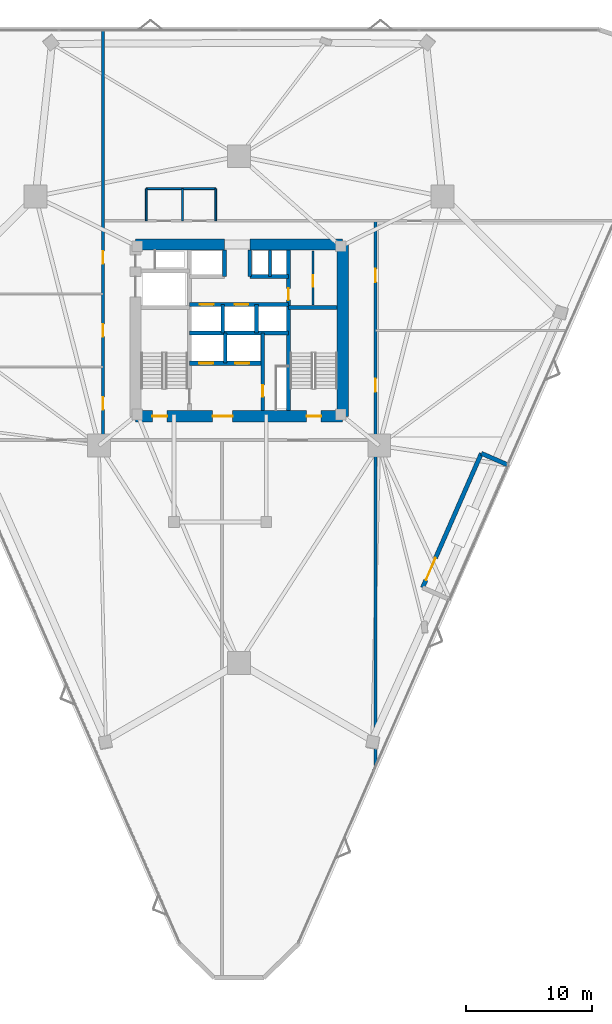
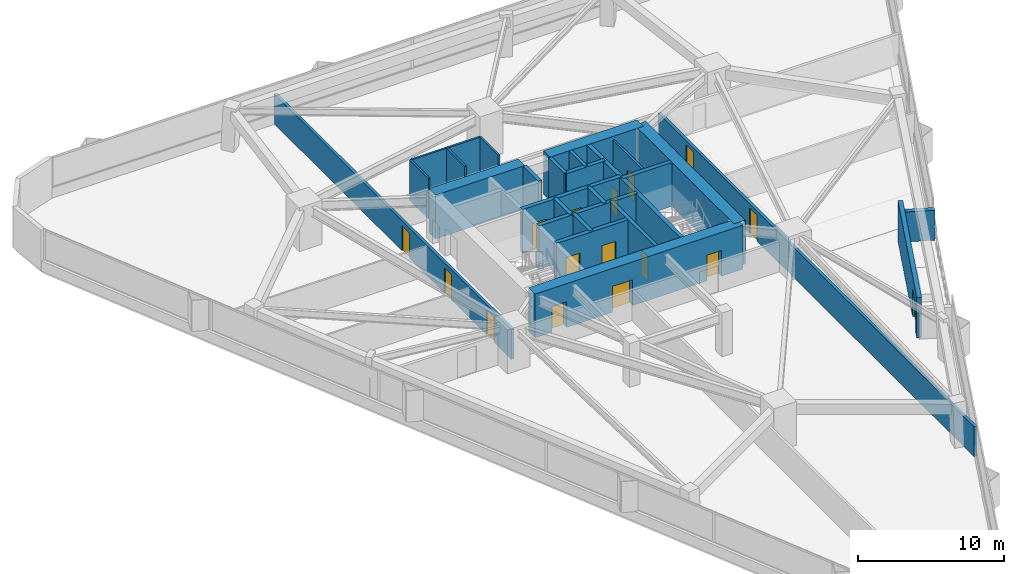
# One storey, part 13 of 16: 26 walls, 16 doors, 16 openings.
"""IFC4 building model written with IfcOpenShell, lengths in metres."""

from ifc_helpers import new_model, si_unit, direction, frame, frame_2d, origin, place, context, subcontext, project, spatial, rectangle, extrude, material, layer, layer_set, type_object, element, fill, save


model = new_model("IFC4")

# Units and contexts
model_context = context("Model", 3, precision=1e-05, world=origin(), true_north=direction((0.0, 1.0)))
body_context = subcontext(model_context, "Body", "Model", "MODEL_VIEW")
ifc_project = project(units=[si_unit("LENGTHUNIT", "METRE"), si_unit("AREAUNIT", "SQUARE_METRE"), si_unit("VOLUMEUNIT", "CUBIC_METRE"), si_unit("PLANEANGLEUNIT", "RADIAN"), si_unit("MASSUNIT", "GRAM", prefix="KILO")], contexts=[model_context])

# Site, building, storey
site_placement = place(None, origin())
site = spatial("IfcSite", under=ifc_project, at=site_placement, CompositionType="ELEMENT")
building_placement = place(site_placement, origin())
building = spatial("IfcBuilding", under=site, at=building_placement, Name="Talyreon Biosciences Tower", CompositionType="ELEMENT")
storey_placement = place(building_placement, frame((0.0, 0.0, 44.699951171875)))
storey = spatial("IfcBuildingStorey", under=building, at=storey_placement, Name="L11", CompositionType="ELEMENT", Elevation=44.699951171875)

# Walls
ifc_material_1 = material(Name="Concrete C50/60", Category="concrete")
ifc_layer_1 = layer(ifc_material_1, 0.219970703125)
ifc_layer_set_1 = layer_set([ifc_layer_1], Name="Concrete C50/60")
wall_type_1 = type_object("IfcWallType", Name="CoreShearWall_220", PredefinedType="SHEAR", material=ifc_layer_set_1)
wall_1_placement = place(storey_placement, frame((68.4599609375, 72.25, 0.0), z_axis=(0.0, 0.0, 1.0), x_axis=(0.0, 1.0, 0.0)))
element("IfcWall", 1, at=wall_1_placement, inside=storey, type_object=wall_type_1, Name="L11 Core Shaft Wall SWPHD", PredefinedType="SHEAR", context=body_context, shape_type="SweptSolid", body=[
    extrude(rectangle(XDim=2.10009765625, YDim=0.219970703125, at=frame_2d((1.050048828125, 0.0))), origin(), (0.0, 0.0, 1.0), 3.650146484375),
])
ifc_layer_2 = layer(ifc_material_1, 0.280029296875)
ifc_layer_set_2 = layer_set([ifc_layer_2], Name="Concrete C50/60")
wall_type_2 = type_object("IfcWallType", Name="CoreShearWall_280", PredefinedType="SHEAR", material=ifc_layer_set_2)
wall_2_placement = place(storey_placement, frame((64.919921875, 65.39990234375, 0.0), z_axis=(0.0, 0.0, 1.0), x_axis=(0.0, 1.0, 0.0)))
element("IfcWall", 2, at=wall_2_placement, inside=storey, type_object=wall_type_2, Name="L11 Core Shaft Wall SWSHD1", PredefinedType="SHEAR", context=body_context, shape_type="SweptSolid", body=[
    extrude(rectangle(XDim=2.400146484375, YDim=0.280029296875, at=frame_2d((1.2001953125, 0.0))), origin(), (0.0, 0.0, 1.0), 3.650146484375),
])
for number, where, z_axis, x_axis, name in (
    (3, (64.85009765625, 72.25, 0.0), (0.0, 0.0, 1.0), (0.0, 1.0, 0.0), "L11 Core Shaft Wall SWTHW"),
    (4, (66.85009765625, 72.25, 0.0), (0.0, 0.0, 1.0), (0.0, 1.0, 0.0), "L11 Core Shaft Wall SWTHE"),
):
    element("IfcWall", number, at=place(storey_placement, frame(where, z_axis=z_axis, x_axis=x_axis)), inside=storey, type_object=wall_type_2, Name=name, PredefinedType="SHEAR", context=body_context, shape_type="SweptSolid", body=[
        extrude(rectangle(XDim=2.10009765625, YDim=0.280029296875, at=frame_2d((1.050048828125, 0.0))), origin(), (0.0, 0.0, 1.0), 3.650146484375),
    ])

# Wall, opening, door
wall_3_placement = place(storey_placement, frame((67.8798828125, 61.64990234375, 0.0), z_axis=(0.0, 0.0, 1.0), x_axis=(0.0, 1.0, 0.0)))
wall_3 = element("IfcWall", 5, at=wall_3_placement, inside=storey, type_object=wall_type_2, Name="L11 Core Shaft Wall SWFFE", PredefinedType="SHEAR", context=body_context, shape_type="SweptSolid", body=[
    extrude(rectangle(XDim=6.150146484375, YDim=0.280029296875, at=frame_2d((3.0751953125, 0.0))), origin(), (0.0, 0.0, 1.0), 3.650146484375),
])
opening_1_placement = place(wall_3_placement, frame((1.10009765625, 0.0, 0.0)))
opening_1 = element("IfcOpeningElement", 6, at=opening_1_placement, cuts=wall_3, Name="Opening DR-L11-RSE", PredefinedType="OPENING", context=body_context, shape_type="SweptSolid", body=[
    extrude(rectangle(XDim=0.919921875, YDim=2.050048828125, at=frame_2d((0.4599609375, 1.02490234375))), frame((0.0, 0.14990234375, 0.0), z_axis=(0.0, -1.0, 0.0), x_axis=(1.0, 0.0, 0.0)), (0.0, 0.0, 1.0), 0.300048828125),
])
ifc_material_2 = material(Name="Painted steel fire-rated riser door", Category="steel")
door_type_1 = type_object("IfcDoorType", Name="RiserPlantAccessDoor_920x2050", OperationType="NOTDEFINED", PredefinedType="DOOR", material=ifc_material_2)
door_1_placement = place(opening_1_placement, origin())
door_1 = element("IfcDoor", 7, at=door_1_placement, inside=storey, type_object=door_type_1, Name="L11 Core Door DR-L11-RSE", OperationType="SINGLE_SWING_RIGHT", OverallHeight=2.050048828125, OverallWidth=0.919921875, PredefinedType="DOOR", context=body_context, shape_type="SweptSolid", body=[
    extrude(rectangle(XDim=0.919921875, YDim=2.050048828125, at=frame_2d((0.4599609375, 1.02490234375))), frame((0.0, 0.02490234375, 0.0), z_axis=(0.0, -1.0, 0.0), x_axis=(1.0, 0.0, 0.0)), (0.0, 0.0, 1.0), 0.050048828125),
])
fill(opening_1, door_1)

# Walls
for number, where, z_axis, x_axis, name in (
    (8, (64.719970703125, 67.800048828125, 0.0), (0.0, 0.0, 1.0), (0.0, 1.0, 0.0), "L11 Core Shaft Wall SWPLD"),
    (9, (67.3798828125, 67.800048828125, 0.0), (0.0, 0.0, 1.0), (0.0, 1.0, 0.0), "L11 Core Shaft Wall SWPMD"),
):
    element("IfcWall", number, at=place(storey_placement, frame(where, z_axis=z_axis, x_axis=x_axis)), inside=storey, type_object=wall_type_2, Name=name, PredefinedType="SHEAR", context=body_context, shape_type="SweptSolid", body=[
        extrude(rectangle(XDim=2.25, YDim=0.280029296875, at=frame_2d((1.125, 0.0))), origin(), (0.0, 0.0, 1.0), 3.650146484375),
    ])

# Wall, opening, door
ifc_layer_3 = layer(ifc_material_1, 0.320068359375)
ifc_layer_set_3 = layer_set([ifc_layer_3], Name="Concrete C50/60")
wall_type_3 = type_object("IfcWallType", Name="CoreShearWall_320", PredefinedType="SHEAR", material=ifc_layer_set_3)
wall_4_placement = place(storey_placement, frame((69.909912109375, 61.64990234375, 0.0), z_axis=(0.0, 0.0, 1.0), x_axis=(0.0, 1.0, 0.0)))
wall_4 = element("IfcWall", 10, at=wall_4_placement, inside=storey, type_object=wall_type_3, Name="L11 Core Shaft Wall SW2W", PredefinedType="SHEAR", context=body_context, shape_type="SweptSolid", body=[
    extrude(rectangle(XDim=12.7001953125, YDim=0.320068359375, at=frame_2d((6.35009765625, 0.0))), origin(), (0.0, 0.0, 1.0), 3.650146484375),
])
opening_2_placement = place(wall_4_placement, frame((8.75, 0.0, 0.0)))
opening_2 = element("IfcOpeningElement", 11, at=opening_2_placement, cuts=wall_4, Name="Opening DR-L11-CSRV", PredefinedType="OPENING", context=body_context, shape_type="SweptSolid", body=[
    extrude(rectangle(XDim=0.919921875, YDim=2.050048828125, at=frame_2d((0.4599609375, 1.02490234375))), frame((0.0, 0.169921875, 0.0), z_axis=(0.0, -1.0, 0.0), x_axis=(1.0, 0.0, 0.0)), (0.0, 0.0, 1.0), 0.340087890625),
])
door_2_placement = place(opening_2_placement, origin())
door_2 = element("IfcDoor", 12, at=door_2_placement, inside=storey, type_object=door_type_1, Name="L11 Core Door DR-L11-CSRV", OperationType="SINGLE_SWING_RIGHT", OverallHeight=2.050048828125, OverallWidth=0.919921875, PredefinedType="DOOR", context=body_context, shape_type="SweptSolid", body=[
    extrude(rectangle(XDim=0.919921875, YDim=2.050048828125, at=frame_2d((0.4599609375, 1.02490234375))), frame((0.0, 0.02490234375, 0.0), z_axis=(0.0, -1.0, 0.0), x_axis=(1.0, 0.0, 0.0)), (0.0, 0.0, 1.0), 0.050048828125),
])
fill(opening_2, door_2)

# Walls
wall_5_placement = place(storey_placement, frame((69.909912109375, 69.81005859375, 0.0), z_axis=(0.0, 0.0, 1.0), x_axis=(1.0, 0.0, 0.0)))
element("IfcWall", 13, at=wall_5_placement, inside=storey, type_object=wall_type_3, Name="L11 Core Shaft Wall SW2N", PredefinedType="SHEAR", context=body_context, shape_type="SweptSolid", body=[
    extrude(rectangle(XDim=3.840087890625, YDim=0.320068359375, at=frame_2d((1.919921875, 0.0))), origin(), (0.0, 0.0, 1.0), 3.650146484375),
])
wall_6_placement = place(storey_placement, frame((62.090087890625, 67.800048828125, 0.0), z_axis=(0.0, 0.0, 1.0), x_axis=(1.0, 0.0, 0.0)))
element("IfcWall", 14, at=wall_6_placement, inside=storey, type_object=wall_type_3, Name="L11 Core Shaft Wall SWSHM", PredefinedType="SHEAR", context=body_context, shape_type="SweptSolid", body=[
    extrude(rectangle(XDim=7.81982421875, YDim=0.320068359375, at=frame_2d((3.909912109375, 0.0))), origin(), (0.0, 0.0, 1.0), 3.650146484375),
])

# Wall, openings, doors
wall_7_placement = place(storey_placement, frame((62.090087890625, 70.050048828125, 0.0), z_axis=(0.0, 0.0, 1.0), x_axis=(1.0, 0.0, 0.0)))
wall_7 = element("IfcWall", 15, at=wall_7_placement, inside=storey, type_object=wall_type_3, Name="L11 Core Shaft Wall SWSPN", PredefinedType="SHEAR", context=body_context, shape_type="SweptSolid", body=[
    extrude(rectangle(XDim=7.81982421875, YDim=0.320068359375, at=frame_2d((3.909912109375, 0.0))), origin(), (0.0, 0.0, 1.0), 3.650146484375),
])
opening_3_placement = place(wall_7_placement, frame((0.800048828125, 0.0, 0.0)))
opening_3 = element("IfcOpeningElement", 16, at=opening_3_placement, cuts=wall_7, Name="Opening LD-L11-PL1", PredefinedType="OPENING", context=body_context, shape_type="SweptSolid", body=[
    extrude(rectangle(XDim=1.10009765625, YDim=2.199951171875, at=frame_2d((0.550048828125, 1.10009765625))), frame((0.0, 0.169921875, 0.0), z_axis=(0.0, -1.0, 0.0), x_axis=(1.0, 0.0, 0.0)), (0.0, 0.0, 1.0), 0.340087890625),
])
opening_4_placement = place(wall_7_placement, frame((3.550048828125, 0.0, 0.0)))
opening_4 = element("IfcOpeningElement", 17, at=opening_4_placement, cuts=wall_7, Name="Opening LD-L11-PL2", PredefinedType="OPENING", context=body_context, shape_type="SweptSolid", body=[
    extrude(rectangle(XDim=1.10009765625, YDim=2.199951171875, at=frame_2d((0.550048828125, 1.10009765625))), frame((0.0, 0.169921875, 0.0), z_axis=(0.0, -1.0, 0.0), x_axis=(1.0, 0.0, 0.0)), (0.0, 0.0, 1.0), 0.340087890625),
])
ifc_material_3 = material(Name="Brushed stainless-steel lift landing door", Category="steel")
door_type_2 = type_object("IfcDoorType", Name="LiftSlidingLandingDoor_1100x2200", OperationType="SLIDING_TO_LEFT", PredefinedType="DOOR", material=ifc_material_3)
door_3_placement = place(opening_3_placement, origin())
door_3 = element("IfcDoor", 18, at=door_3_placement, inside=storey, type_object=door_type_2, Name="L11 Core Door LD-L11-PL1", OperationType="SLIDING_TO_LEFT", OverallHeight=2.199951171875, OverallWidth=1.10009765625, PredefinedType="DOOR", context=body_context, shape_type="SweptSolid", body=[
    extrude(rectangle(XDim=1.10009765625, YDim=2.199951171875, at=frame_2d((0.550048828125, 1.10009765625))), frame((0.0, 0.02490234375, 0.0), z_axis=(0.0, -1.0, 0.0), x_axis=(1.0, 0.0, 0.0)), (0.0, 0.0, 1.0), 0.050048828125),
])
fill(opening_3, door_3)
door_4_placement = place(opening_4_placement, origin())
door_4 = element("IfcDoor", 19, at=door_4_placement, inside=storey, type_object=door_type_2, Name="L11 Core Door LD-L11-PL2", OperationType="SLIDING_TO_LEFT", OverallHeight=2.199951171875, OverallWidth=1.10009765625, PredefinedType="DOOR", context=body_context, shape_type="SweptSolid", body=[
    extrude(rectangle(XDim=1.10009765625, YDim=2.199951171875, at=frame_2d((0.550048828125, 1.10009765625))), frame((0.0, 0.02490234375, 0.0), z_axis=(0.0, -1.0, 0.0), x_axis=(1.0, 0.0, 0.0)), (0.0, 0.0, 1.0), 0.050048828125),
])
fill(opening_4, door_4)

# Wall
wall_8_placement = place(storey_placement, frame((66.85009765625, 72.25, 0.0), z_axis=(0.0, 0.0, 1.0), x_axis=(1.0, 0.0, 0.0)))
element("IfcWall", 20, at=wall_8_placement, inside=storey, type_object=wall_type_3, Name="L11 Core Shaft Wall SWNPE", PredefinedType="SHEAR", context=body_context, shape_type="SweptSolid", body=[
    extrude(rectangle(XDim=3.059814453125, YDim=0.320068359375, at=frame_2d((1.52978515625, 0.0))), origin(), (0.0, 0.0, 1.0), 3.650146484375),
])

# Wall, openings, doors
wall_9_placement = place(storey_placement, frame((62.090087890625, 65.39990234375, 0.0), z_axis=(0.0, 0.0, 1.0), x_axis=(1.0, 0.0, 0.0)))
wall_9 = element("IfcWall", 21, at=wall_9_placement, inside=storey, type_object=wall_type_3, Name="L11 Core Shaft Wall SWFFN", PredefinedType="SHEAR", context=body_context, shape_type="SweptSolid", body=[
    extrude(rectangle(XDim=5.789794921875, YDim=0.320068359375, at=frame_2d((2.89501953125, 0.0))), origin(), (0.0, 0.0, 1.0), 3.650146484375),
])
opening_5_placement = place(wall_9_placement, frame((0.75, 0.0, 0.0)))
opening_5 = element("IfcOpeningElement", 22, at=opening_5_placement, cuts=wall_9, Name="Opening LD-L11-FL1", PredefinedType="OPENING", context=body_context, shape_type="SweptSolid", body=[
    extrude(rectangle(XDim=1.10009765625, YDim=2.199951171875, at=frame_2d((0.550048828125, 1.10009765625))), frame((0.0, 0.169921875, 0.0), z_axis=(0.0, -1.0, 0.0), x_axis=(1.0, 0.0, 0.0)), (0.0, 0.0, 1.0), 0.340087890625),
])
opening_6_placement = place(wall_9_placement, frame((3.60009765625, 0.0, 0.0)))
opening_6 = element("IfcOpeningElement", 23, at=opening_6_placement, cuts=wall_9, Name="Opening LD-L11-FL2", PredefinedType="OPENING", context=body_context, shape_type="SweptSolid", body=[
    extrude(rectangle(XDim=1.10009765625, YDim=2.199951171875, at=frame_2d((0.550048828125, 1.10009765625))), frame((0.0, 0.169921875, 0.0), z_axis=(0.0, -1.0, 0.0), x_axis=(1.0, 0.0, 0.0)), (0.0, 0.0, 1.0), 0.340087890625),
])
door_5_placement = place(opening_5_placement, origin())
door_5 = element("IfcDoor", 24, at=door_5_placement, inside=storey, type_object=door_type_2, Name="L11 Core Door LD-L11-FL1", OperationType="SLIDING_TO_LEFT", OverallHeight=2.199951171875, OverallWidth=1.10009765625, PredefinedType="DOOR", context=body_context, shape_type="SweptSolid", body=[
    extrude(rectangle(XDim=1.10009765625, YDim=2.199951171875, at=frame_2d((0.550048828125, 1.10009765625))), frame((0.0, 0.02490234375, 0.0), z_axis=(0.0, -1.0, 0.0), x_axis=(1.0, 0.0, 0.0)), (0.0, 0.0, 1.0), 0.050048828125),
])
fill(opening_5, door_5)
door_6_placement = place(opening_6_placement, origin())
door_6 = element("IfcDoor", 25, at=door_6_placement, inside=storey, type_object=door_type_2, Name="L11 Core Door LD-L11-FL2", OperationType="SLIDING_TO_LEFT", OverallHeight=2.199951171875, OverallWidth=1.10009765625, PredefinedType="DOOR", context=body_context, shape_type="SweptSolid", body=[
    extrude(rectangle(XDim=1.10009765625, YDim=2.199951171875, at=frame_2d((0.550048828125, 1.10009765625))), frame((0.0, 0.02490234375, 0.0), z_axis=(0.0, -1.0, 0.0), x_axis=(1.0, 0.0, 0.0)), (0.0, 0.0, 1.0), 0.050048828125),
])
fill(opening_6, door_6)

ifc_material_4 = material(Name="Concrete C60/75", Category="concrete")
ifc_layer_4 = layer(ifc_material_4, 0.89990234375)
ifc_layer_set_4 = layer_set([ifc_layer_4], Name="Concrete C60/75")
wall_type_4 = type_object("IfcWallType", Name="CoreShearWall_900", PredefinedType="SHEAR", material=ifc_layer_set_4)
wall_10_placement = place(storey_placement, frame((57.800048828125, 61.199951171875, 0.0), z_axis=(0.0, 0.0, 1.0), x_axis=(1.0, 0.0, 0.0)))
wall_10 = element("IfcWall", 26, at=wall_10_placement, inside=storey, type_object=wall_type_4, Name="L11 Core Shear Wall S", PredefinedType="SHEAR", context=body_context, shape_type="SweptSolid", body=[
    extrude(rectangle(XDim=16.39990234375, YDim=0.89990234375, at=frame_2d((8.199951171875, 0.0))), origin(), (0.0, 0.0, 1.0), 3.650146484375),
])
opening_7_placement = place(wall_10_placement, frame((1.35009765625, 0.0, 0.0)))
opening_7 = element("IfcOpeningElement", 27, at=opening_7_placement, cuts=wall_10, Name="Opening DR-L11-ST1", PredefinedType="OPENING", context=body_context, shape_type="SweptSolid", body=[
    extrude(rectangle(XDim=1.14990234375, YDim=2.14990234375, at=frame_2d((0.574951171875, 1.074951171875))), frame((0.0, 0.4599609375, 0.0), z_axis=(0.0, -1.0, 0.0), x_axis=(1.0, 0.0, 0.0)), (0.0, 0.0, 1.0), 0.919921875),
])
opening_8_placement = place(wall_10_placement, frame((6.10009765625, 0.0, 0.0)))
opening_8 = element("IfcOpeningElement", 28, at=opening_8_placement, cuts=wall_10, Name="Opening DR-L11-FFL", PredefinedType="OPENING", context=body_context, shape_type="SweptSolid", body=[
    extrude(rectangle(XDim=1.60009765625, YDim=2.14990234375, at=frame_2d((0.800048828125, 1.074951171875))), frame((0.0, 0.4599609375, 0.0), z_axis=(0.0, -1.0, 0.0), x_axis=(1.0, 0.0, 0.0)), (0.0, 0.0, 1.0), 0.919921875),
])
opening_9_placement = place(wall_10_placement, frame((13.550048828125, 0.0, 0.0)))
opening_9 = element("IfcOpeningElement", 29, at=opening_9_placement, cuts=wall_10, Name="Opening DR-L11-ST2", PredefinedType="OPENING", context=body_context, shape_type="SweptSolid", body=[
    extrude(rectangle(XDim=1.14990234375, YDim=2.14990234375, at=frame_2d((0.574951171875, 1.074951171875))), frame((0.0, 0.4599609375, 0.0), z_axis=(0.0, -1.0, 0.0), x_axis=(1.0, 0.0, 0.0)), (0.0, 0.0, 1.0), 0.919921875),
])
ifc_material_5 = material(Name="Painted steel smoke-seal fire door", Category="steel")
door_type_3 = type_object("IfcDoorType", Name="FirefightingLobbyDoubleDoor_1600x2150", OperationType="DOUBLE_DOOR_SINGLE_SWING", PredefinedType="DOOR", material=ifc_material_5)
door_7_placement = place(opening_8_placement, origin())
door_7 = element("IfcDoor", 30, at=door_7_placement, inside=storey, type_object=door_type_3, Name="L11 Core Door DR-L11-FFL", OperationType="DOUBLE_DOOR_SINGLE_SWING", OverallHeight=2.14990234375, OverallWidth=1.60009765625, PredefinedType="DOOR", context=body_context, shape_type="SweptSolid", body=[
    extrude(rectangle(XDim=1.60009765625, YDim=2.14990234375, at=frame_2d((0.800048828125, 1.074951171875))), frame((0.0, 0.02490234375, 0.0), z_axis=(0.0, -1.0, 0.0), x_axis=(1.0, 0.0, 0.0)), (0.0, 0.0, 1.0), 0.050048828125),
])
fill(opening_8, door_7)
ifc_material_6 = material(Name="Painted steel fire door", Category="steel")
door_type_4 = type_object("IfcDoorType", Name="StairShaftFireDoor_1150x2150", OperationType="NOTDEFINED", PredefinedType="DOOR", material=ifc_material_6)
door_8_placement = place(opening_7_placement, origin())
door_8 = element("IfcDoor", 31, at=door_8_placement, inside=storey, type_object=door_type_4, Name="L11 Core Door DR-L11-ST1", OperationType="SINGLE_SWING_LEFT", OverallHeight=2.14990234375, OverallWidth=1.14990234375, PredefinedType="DOOR", context=body_context, shape_type="SweptSolid", body=[
    extrude(rectangle(XDim=1.14990234375, YDim=2.14990234375, at=frame_2d((0.574951171875, 1.074951171875))), frame((0.0, 0.02490234375, 0.0), z_axis=(0.0, -1.0, 0.0), x_axis=(1.0, 0.0, 0.0)), (0.0, 0.0, 1.0), 0.050048828125),
])
fill(opening_7, door_8)
door_9_placement = place(opening_9_placement, origin())
door_9 = element("IfcDoor", 32, at=door_9_placement, inside=storey, type_object=door_type_4, Name="L11 Core Door DR-L11-ST2", OperationType="SINGLE_SWING_RIGHT", OverallHeight=2.14990234375, OverallWidth=1.14990234375, PredefinedType="DOOR", context=body_context, shape_type="SweptSolid", body=[
    extrude(rectangle(XDim=1.14990234375, YDim=2.14990234375, at=frame_2d((0.574951171875, 1.074951171875))), frame((0.0, 0.02490234375, 0.0), z_axis=(0.0, -1.0, 0.0), x_axis=(1.0, 0.0, 0.0)), (0.0, 0.0, 1.0), 0.050048828125),
])
fill(opening_9, door_9)

# Walls
wall_11_placement = place(storey_placement, frame((74.199951171875, 61.199951171875, 0.0), z_axis=(0.0, 0.0, 1.0), x_axis=(0.0, 1.0, 0.0)))
element("IfcWall", 33, at=wall_11_placement, inside=storey, type_object=wall_type_4, Name="L11 Core Shear Wall E", PredefinedType="SHEAR", context=body_context, shape_type="SweptSolid", body=[
    extrude(rectangle(XDim=13.60009765625, YDim=0.89990234375, at=frame_2d((6.800048828125, 0.0))), origin(), (0.0, 0.0, 1.0), 3.650146484375),
])
wall_12_placement = place(storey_placement, frame((74.199951171875, 74.800048828125, 0.0), z_axis=(0.0, 0.0, 1.0), x_axis=(-1.0, 0.0, 0.0)))
element("IfcWall", 34, at=wall_12_placement, inside=storey, type_object=wall_type_4, Name="L11 Core Shear Wall NE", PredefinedType="SHEAR", context=body_context, shape_type="SweptSolid", body=[
    extrude(rectangle(XDim=7.349853515625, YDim=0.89990234375, at=frame_2d((3.6748046875, 0.0))), origin(), (0.0, 0.0, 1.0), 3.650146484375),
])
wall_13_placement = place(storey_placement, frame((64.85009765625, 74.800048828125, 0.0), z_axis=(0.0, 0.0, 1.0), x_axis=(-1.0, 0.0, 0.0)))
element("IfcWall", 35, at=wall_13_placement, inside=storey, type_object=wall_type_4, Name="L11 Core Shear Wall NW", PredefinedType="SHEAR", context=body_context, shape_type="SweptSolid", body=[
    extrude(rectangle(XDim=7.050048828125, YDim=0.89990234375, at=frame_2d((3.52490234375, 0.0))), origin(), (0.0, 0.0, 1.0), 3.650146484375),
])

# Wall, openings, doors
ifc_material_7 = material(Name="Gypsum fireboard acoustic stud", Category="gypsum")
ifc_layer_5 = layer(ifc_material_7, 0.219970703125)
ifc_layer_set_5 = layer_set([ifc_layer_5], Name="Gypsum fireboard acoustic stud")
wall_type_5 = type_object("IfcWallType", Name="CorridorRatedPartition_220", PredefinedType="PARTITIONING", material=ifc_layer_set_5)
wall_14_placement = place(storey_placement, frame((55.22998046875, 59.330078125, 0.0), z_axis=(0.0, 0.0, 1.0), x_axis=(0.0, 1.0, 0.0)))
wall_14 = element("IfcWall", 36, at=wall_14_placement, inside=storey, type_object=wall_type_5, Name="L11 Interior Wall IW-L11-COR-W", PredefinedType="PARTITIONING", context=body_context, shape_type="SweptSolid", body=[
    extrude(rectangle(XDim=32.405517578125, YDim=0.219970703125, at=frame_2d((16.20263671875, 0.0))), origin(), (0.0, 0.0, 1.0), 2.505126953125),
])
opening_10_placement = place(wall_14_placement, frame((2.389892578125, 0.0, 0.0)))
opening_10 = element("IfcOpeningElement", 37, at=opening_10_placement, cuts=wall_14, Name="Opening DR-L11-W1A", PredefinedType="OPENING", context=body_context, shape_type="SweptSolid", body=[
    extrude(rectangle(XDim=1.0, YDim=2.10009765625, at=frame_2d((0.5, 1.050048828125))), frame((0.0, 0.119873046875, 0.0), z_axis=(0.0, -1.0, 0.0), x_axis=(1.0, 0.0, 0.0)), (0.0, 0.0, 1.0), 0.239990234375),
])
opening_11_placement = place(wall_14_placement, frame((8.169921875, 0.0, 0.0)))
opening_11 = element("IfcOpeningElement", 38, at=opening_11_placement, cuts=wall_14, Name="Opening DR-L11-W2A", PredefinedType="OPENING", context=body_context, shape_type="SweptSolid", body=[
    extrude(rectangle(XDim=1.0, YDim=2.10009765625, at=frame_2d((0.5, 1.050048828125))), frame((0.0, 0.119873046875, 0.0), z_axis=(0.0, -1.0, 0.0), x_axis=(1.0, 0.0, 0.0)), (0.0, 0.0, 1.0), 0.239990234375),
])
opening_12_placement = place(wall_14_placement, frame((13.949951171875, 0.0, 0.0)))
opening_12 = element("IfcOpeningElement", 39, at=opening_12_placement, cuts=wall_14, Name="Opening DR-L11-W3A", PredefinedType="OPENING", context=body_context, shape_type="SweptSolid", body=[
    extrude(rectangle(XDim=1.0, YDim=2.10009765625, at=frame_2d((0.5, 1.050048828125))), frame((0.0, 0.119873046875, 0.0), z_axis=(0.0, -1.0, 0.0), x_axis=(1.0, 0.0, 0.0)), (0.0, 0.0, 1.0), 0.239990234375),
])
ifc_material_8 = material(Name="Acoustic oak veneer office door", Category="wood")
door_type_5 = type_object("IfcDoorType", Name="WriteupOfficeDoor_1000x2100", OperationType="NOTDEFINED", PredefinedType="DOOR", material=ifc_material_8)
door_10_placement = place(opening_10_placement, origin())
door_10 = element("IfcDoor", 40, at=door_10_placement, inside=storey, type_object=door_type_5, Name="L11 Interior Door DR-L11-W1A", OperationType="SINGLE_SWING_RIGHT", OverallHeight=2.10009765625, OverallWidth=1.0, PredefinedType="DOOR", context=body_context, shape_type="SweptSolid", body=[
    extrude(rectangle(XDim=1.0, YDim=2.10009765625, at=frame_2d((0.5, 1.050048828125))), frame((0.0, 0.02490234375, 0.0), z_axis=(0.0, -1.0, 0.0), x_axis=(1.0, 0.0, 0.0)), (0.0, 0.0, 1.0), 0.050048828125),
])
fill(opening_10, door_10)
door_11_placement = place(opening_11_placement, origin())
door_11 = element("IfcDoor", 41, at=door_11_placement, inside=storey, type_object=door_type_5, Name="L11 Interior Door DR-L11-W2A", OperationType="SINGLE_SWING_RIGHT", OverallHeight=2.10009765625, OverallWidth=1.0, PredefinedType="DOOR", context=body_context, shape_type="SweptSolid", body=[
    extrude(rectangle(XDim=1.0, YDim=2.10009765625, at=frame_2d((0.5, 1.050048828125))), frame((0.0, 0.02490234375, 0.0), z_axis=(0.0, -1.0, 0.0), x_axis=(1.0, 0.0, 0.0)), (0.0, 0.0, 1.0), 0.050048828125),
])
fill(opening_11, door_11)
door_12_placement = place(opening_12_placement, origin())
door_12 = element("IfcDoor", 42, at=door_12_placement, inside=storey, type_object=door_type_5, Name="L11 Interior Door DR-L11-W3A", OperationType="SINGLE_SWING_LEFT", OverallHeight=2.10009765625, OverallWidth=1.0, PredefinedType="DOOR", context=body_context, shape_type="SweptSolid", body=[
    extrude(rectangle(XDim=1.0, YDim=2.10009765625, at=frame_2d((0.5, 1.050048828125))), frame((0.0, 0.02490234375, 0.0), z_axis=(0.0, -1.0, 0.0), x_axis=(1.0, 0.0, 0.0)), (0.0, 0.0, 1.0), 0.050048828125),
])
fill(opening_12, door_12)

wall_15_placement = place(storey_placement, frame((76.800048828125, 33.488525390625, 0.0), z_axis=(0.0, 0.0, 1.0), x_axis=(0.0, 1.0, 0.0)))
wall_15 = element("IfcWall", 43, at=wall_15_placement, inside=storey, type_object=wall_type_5, Name="L11 Interior Wall IW-L11-COR-E", PredefinedType="PARTITIONING", context=body_context, shape_type="SweptSolid", body=[
    extrude(rectangle(XDim=43.181396484375, YDim=0.219970703125, at=frame_2d((21.5908203125, 0.0))), origin(), (0.0, 0.0, 1.0), 2.505126953125),
])
opening_13_placement = place(wall_15_placement, frame((29.65087890625, 0.0, 0.0)))
opening_13 = element("IfcOpeningElement", 44, at=opening_13_placement, cuts=wall_15, Name="Opening DR-L11-E1A", PredefinedType="OPENING", context=body_context, shape_type="SweptSolid", body=[
    extrude(rectangle(XDim=1.050048828125, YDim=2.14990234375, at=frame_2d((0.52490234375, 1.074951171875))), frame((0.0, 0.119873046875, 0.0), z_axis=(0.0, -1.0, 0.0), x_axis=(1.0, 0.0, 0.0)), (0.0, 0.0, 1.0), 0.239990234375),
])
opening_14_placement = place(wall_15_placement, frame((38.321044921875, 0.0, 0.0)))
opening_14 = element("IfcOpeningElement", 45, at=opening_14_placement, cuts=wall_15, Name="Opening DR-L11-E2A", PredefinedType="OPENING", context=body_context, shape_type="SweptSolid", body=[
    extrude(rectangle(XDim=1.050048828125, YDim=2.14990234375, at=frame_2d((0.52490234375, 1.074951171875))), frame((0.0, 0.119873046875, 0.0), z_axis=(0.0, -1.0, 0.0), x_axis=(1.0, 0.0, 0.0)), (0.0, 0.0, 1.0), 0.239990234375),
])
ifc_material_9 = material(Name="Acoustic timber-core laboratory door", Category="wood")
door_type_6 = type_object("IfcDoorType", Name="DryLabSingleDoor_1050x2150", OperationType="NOTDEFINED", PredefinedType="DOOR", material=ifc_material_9)
door_13_placement = place(opening_13_placement, origin())
door_13 = element("IfcDoor", 46, at=door_13_placement, inside=storey, type_object=door_type_6, Name="L11 Interior Door DR-L11-E1A", OperationType="SINGLE_SWING_LEFT", OverallHeight=2.14990234375, OverallWidth=1.050048828125, PredefinedType="DOOR", context=body_context, shape_type="SweptSolid", body=[
    extrude(rectangle(XDim=1.050048828125, YDim=2.14990234375, at=frame_2d((0.52490234375, 1.074951171875))), frame((0.0, 0.02490234375, 0.0), z_axis=(0.0, -1.0, 0.0), x_axis=(1.0, 0.0, 0.0)), (0.0, 0.0, 1.0), 0.050048828125),
])
fill(opening_13, door_13)
door_14_placement = place(opening_14_placement, origin())
door_14 = element("IfcDoor", 47, at=door_14_placement, inside=storey, type_object=door_type_6, Name="L11 Interior Door DR-L11-E2A", OperationType="SINGLE_SWING_LEFT", OverallHeight=2.14990234375, OverallWidth=1.050048828125, PredefinedType="DOOR", context=body_context, shape_type="SweptSolid", body=[
    extrude(rectangle(XDim=1.050048828125, YDim=2.14990234375, at=frame_2d((0.52490234375, 1.074951171875))), frame((0.0, 0.02490234375, 0.0), z_axis=(0.0, -1.0, 0.0), x_axis=(1.0, 0.0, 0.0)), (0.0, 0.0, 1.0), 0.050048828125),
])
fill(opening_14, door_14)

# Wall, opening, door
ifc_material_10 = material(Name="Gypsum acoustic stud partition", Category="gypsum")
ifc_layer_6 = layer(ifc_material_10, 0.159912109375)
ifc_layer_set_6 = layer_set([ifc_layer_6], Name="Gypsum acoustic stud partition")
wall_type_6 = type_object("IfcWallType", Name="LabSeparationPartition_160", PredefinedType="PARTITIONING", material=ifc_layer_set_6)
wall_16_placement = place(storey_placement, frame((71.85009765625, 70.0, 0.0), z_axis=(0.0, 0.0, 1.0), x_axis=(0.0, 1.0, 0.0)))
wall_16 = element("IfcWall", 48, at=wall_16_placement, inside=storey, type_object=wall_type_6, Name="L11 Interior Wall IW-L11-CSRV-V", PredefinedType="PARTITIONING", context=body_context, shape_type="SweptSolid", body=[
    extrude(rectangle(XDim=4.300048828125, YDim=0.159912109375, at=frame_2d((2.14990234375, 0.0))), origin(), (0.0, 0.0, 1.0), 3.375),
])
opening_15_placement = place(wall_16_placement, frame((1.449951171875, 0.0, 0.0)))
opening_15 = element("IfcOpeningElement", 49, at=opening_15_placement, cuts=wall_16, Name="Opening DR-L11-CSRV-I", PredefinedType="OPENING", context=body_context, shape_type="SweptSolid", body=[
    extrude(rectangle(XDim=0.919921875, YDim=2.050048828125, at=frame_2d((0.4599609375, 1.02490234375))), frame((0.0, 0.08984375, 0.0), z_axis=(0.0, -1.0, 0.0), x_axis=(1.0, 0.0, 0.0)), (0.0, 0.0, 1.0), 0.179931640625),
])
door_15_placement = place(opening_15_placement, origin())
door_15 = element("IfcDoor", 50, at=door_15_placement, inside=storey, type_object=door_type_1, Name="L11 Interior Door DR-L11-CSRV-I", OperationType="SINGLE_SWING_RIGHT", OverallHeight=2.050048828125, OverallWidth=0.919921875, PredefinedType="DOOR", context=body_context, shape_type="SweptSolid", body=[
    extrude(rectangle(XDim=0.919921875, YDim=2.050048828125, at=frame_2d((0.4599609375, 1.02490234375))), frame((0.0, 0.02490234375, 0.0), z_axis=(0.0, -1.0, 0.0), x_axis=(1.0, 0.0, 0.0)), (0.0, 0.0, 1.0), 0.050048828125),
])
fill(opening_15, door_15)

# Wall
ifc_material_11 = material(Name="Precast concrete C45/55", Category="concrete")
ifc_layer_7 = layer(ifc_material_11, 0.340087890625)
ifc_layer_set_7 = layer_set([ifc_layer_7], Name="Precast concrete C45/55")
wall_type_7 = type_object("IfcWallType", Name="PrecastConcreteSpandrelWall_340", PredefinedType="STANDARD", material=ifc_layer_set_7)
wall_17_placement = place(storey_placement, frame((87.330078125, 57.32568359375, 0.0), z_axis=(0.0, 0.0, 1.0), x_axis=(-0.916059542308, 0.401042285733, 0.0)))
element("IfcWall", 51, at=wall_17_placement, inside=storey, type_object=wall_type_7, Name="L11 Terrace Backing Concrete Wall 08", PredefinedType="STANDARD", context=body_context, shape_type="SweptSolid", body=[
    extrude(rectangle(XDim=2.349853515625, YDim=0.340087890625, at=frame_2d((1.1748046875, 0.0))), origin(), (0.0, 0.0, 1.0), 2.505126953125),
])

# Wall, opening, door
wall_18_placement = place(storey_placement, frame((85.177490234375, 58.26806640625, 0.0), z_axis=(0.0, 0.0, 1.0), x_axis=(-0.401105876005, -0.916031700453, 0.0)))
wall_18 = element("IfcWall", 52, at=wall_18_placement, inside=storey, type_object=wall_type_7, Name="L11 Terrace Backing Concrete Wall 09", PredefinedType="STANDARD", context=body_context, shape_type="SweptSolid", body=[
    extrude(rectangle(XDim=11.60009765625, YDim=0.340087890625, at=frame_2d((5.800048828125, 0.0))), origin(), (0.0, 0.0, 1.0), 3.375),
])
opening_16_placement = place(wall_18_placement, frame((9.050048828125, 0.0, 0.0)))
opening_16 = element("IfcOpeningElement", 53, at=opening_16_placement, cuts=wall_18, Name="Opening D04", PredefinedType="OPENING", context=body_context, shape_type="SweptSolid", body=[
    extrude(rectangle(XDim=1.89990234375, YDim=2.300048828125, at=frame_2d((0.949951171875, 1.14990234375))), frame((0.0, 0.179931640625, 0.0), z_axis=(0.0, -1.0, 0.0), x_axis=(1.0, 0.0, 0.0)), (0.0, 0.0, 1.0), 0.360107421875),
])
ifc_material_12 = material(Name="Thermally broken low-E glazed terrace door", Category="aluminium")
door_type_7 = type_object("IfcDoorType", Name="SkyGardenTerraceDoubleDoor_1900x2300", OperationType="DOUBLE_DOOR_SINGLE_SWING", PredefinedType="DOOR", material=ifc_material_12)
door_16_placement = place(opening_16_placement, origin())
door_16 = element("IfcDoor", 54, at=door_16_placement, inside=storey, type_object=door_type_7, Name="L11 Outdoor Terrace Access Door 09", OperationType="DOUBLE_DOOR_SINGLE_SWING", OverallHeight=2.300048828125, OverallWidth=1.89990234375, PredefinedType="DOOR", context=body_context, shape_type="SweptSolid", body=[
    extrude(rectangle(XDim=1.89990234375, YDim=2.300048828125, at=frame_2d((0.949951171875, 1.14990234375))), frame((0.0, 0.02490234375, 0.0), z_axis=(0.0, -1.0, 0.0), x_axis=(1.0, 0.0, 0.0)), (0.0, 0.0, 1.0), 0.050048828125),
])
fill(opening_16, door_16)

# Walls
ifc_material_13 = material(Name="Moisture-resistant cement-board stud", Category="gypsum")
ifc_layer_8 = layer(ifc_material_13, 0.14501953125)
ifc_layer_set_8 = layer_set([ifc_layer_8], Name="Moisture-resistant cement-board stud")
wall_type_8 = type_object("IfcWallType", Name="WetRoomPartition_145", PredefinedType="PARTITIONING", material=ifc_layer_set_8)
for number, where, z_axis, x_axis, name in (
    (55, (58.64990234375, 76.669921875, 0.0), (0.0, 0.0, 1.0), (0.0, 1.0, 0.0), "L11 Interior Wall IW-L11-WCL"),
    (56, (61.52490234375, 76.669921875, 0.0), (0.0, 0.0, 1.0), (0.0, 1.0, 0.0), "L11 Interior Wall IW-L11-WCM"),
    (57, (64.14990234375, 76.669921875, 0.0), (0.0, 0.0, 1.0), (0.0, 1.0, 0.0), "L11 Interior Wall IW-L11-WCR"),
):
    element("IfcWall", number, at=place(storey_placement, frame(where, z_axis=z_axis, x_axis=x_axis)), inside=storey, type_object=wall_type_8, Name=name, PredefinedType="PARTITIONING", context=body_context, shape_type="SweptSolid", body=[
        extrude(rectangle(XDim=2.550048828125, YDim=0.14501953125, at=frame_2d((1.27490234375, 0.0))), origin(), (0.0, 0.0, 1.0), 3.375),
    ])
wall_19_placement = place(storey_placement, frame((58.64990234375, 79.219970703125, 0.0), z_axis=(0.0, 0.0, 1.0), x_axis=(1.0, 0.0, 0.0)))
element("IfcWall", 58, at=wall_19_placement, inside=storey, type_object=wall_type_8, Name="L11 Interior Wall IW-L11-WCT", PredefinedType="PARTITIONING", context=body_context, shape_type="SweptSolid", body=[
    extrude(rectangle(XDim=5.5, YDim=0.14501953125, at=frame_2d((2.75, 0.0))), origin(), (0.0, 0.0, 1.0), 3.375),
])

save(model, "model.ifc")
